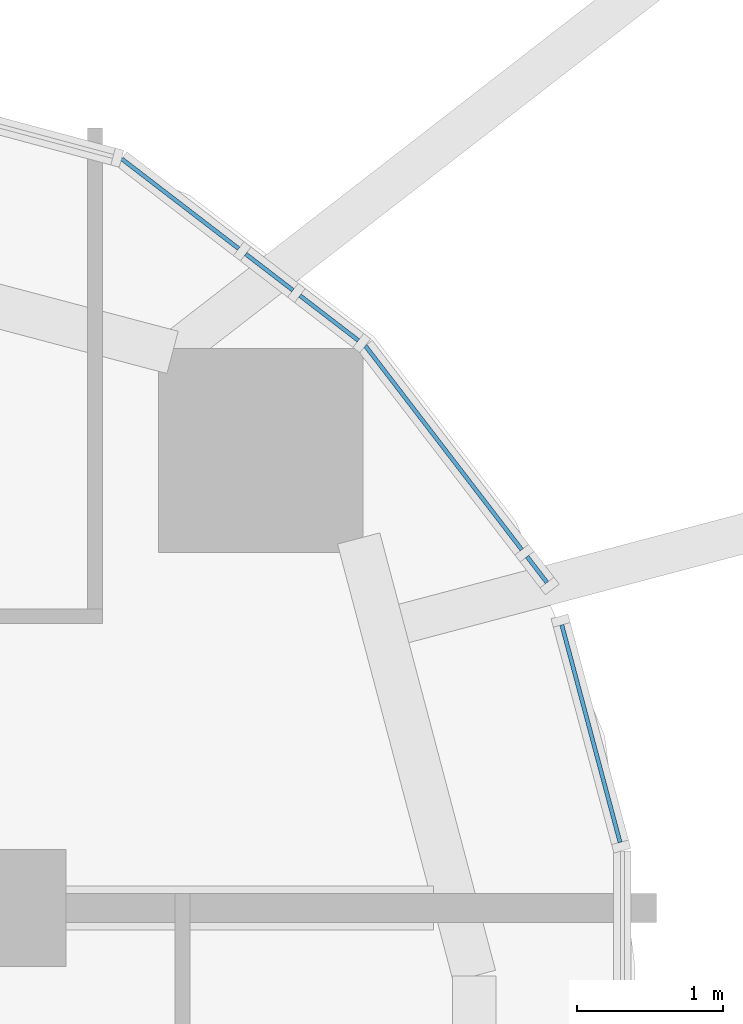
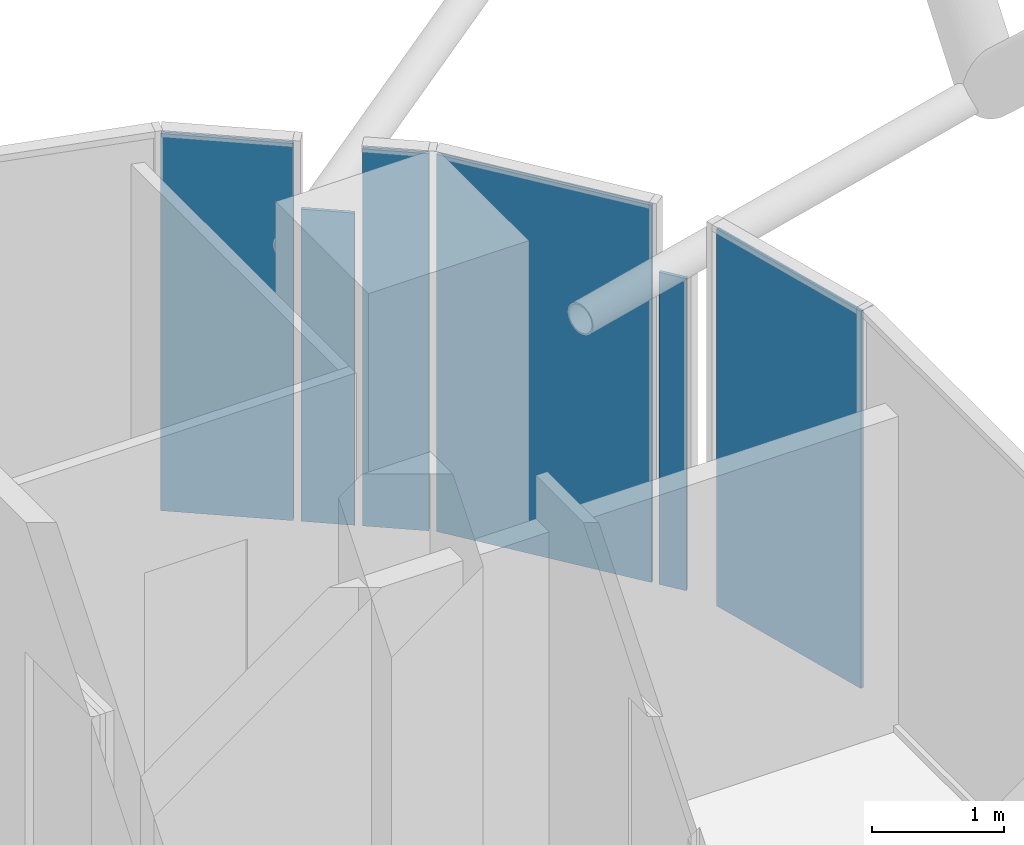
# One storey, part 24 of 33: 6 plates, 6 elements without a shape of their own.
"""IFC4 building model written with IfcOpenShell, lengths in metres."""

from ifc_helpers import new_model, si_unit, direction, frame, origin, origin_2d, place, context, subcontext, project, spatial, rectangle, extrude, material, layer, layer_set, type_object, element, aggregate, save


model = new_model("IFC4")

# Units and contexts
model_context = context("Model", 3, precision=1e-05, world=origin(), true_north=direction((0.0, 1.0)))
body_context = subcontext(model_context, "Body", "Model", "MODEL_VIEW")
ifc_project = project(units=[si_unit("LENGTHUNIT", "METRE"), si_unit("AREAUNIT", "SQUARE_METRE"), si_unit("VOLUMEUNIT", "CUBIC_METRE"), si_unit("PLANEANGLEUNIT", "RADIAN"), si_unit("MASSUNIT", "GRAM", prefix="KILO")], contexts=[model_context])

# Site, building, storey
site_placement = place(None, origin())
site = spatial("IfcSite", under=ifc_project, at=site_placement, CompositionType="ELEMENT")
building_placement = place(site_placement, origin())
building = spatial("IfcBuilding", under=site, at=building_placement, Name="Marenta Gate Hotel Tower", CompositionType="ELEMENT")
storey_placement = place(building_placement, frame((0.0, 0.0, 248.89990234375)))
storey = spatial("IfcBuildingStorey", under=building, at=storey_placement, Name="L59", CompositionType="ELEMENT", Elevation=248.89990234375)

# Curtain wall, plate
ifc_material_1 = material(Name="Tinted insulated glass in bronze anodised frame", Category="glass")
ifc_layer_1 = layer(ifc_material_1, 0.1201171875)
ifc_layer_set_1 = layer_set([ifc_layer_1], Name="Tinted insulated glass in bronze anodised frame")
curtain_wall_type = type_object("IfcCurtainWallType", Name="Tower unitised curtain wall CW1", PredefinedType="NOTDEFINED", material=ifc_layer_set_1)
curtain_wall_1_placement = place(storey_placement, origin())
curtain_wall_1 = element("IfcCurtainWall", 1, at=curtain_wall_1_placement, inside=storey, type_object=curtain_wall_type, Name="CW1 run G35", PredefinedType="NOTDEFINED")
ifc_material_2 = material(Name="Tinted insulated glass", Category="glass")
ifc_layer_2 = layer(ifc_material_2, 0.028076171875)
ifc_layer_set_2 = layer_set([ifc_layer_2], Name="Tinted insulated glass")
plate_type = type_object("IfcPlateType", Name="Glass panel CW1 28 mm tinted insulated unit", PredefinedType="CURTAIN_PANEL", material=ifc_layer_set_2)
plate_1_placement = place(storey_placement, frame((24.998779296875, 17.9951171875, 0.06005859375), z_axis=(0.0, 0.0, 1.0), x_axis=(-0.25883027083, 0.965922818295, 0.0)))
plate_1 = element("IfcPlate", 2, at=plate_1_placement, type_object=plate_type, Name="CW1 panel 1.1", PredefinedType="CURTAIN_PANEL", context=body_context, shape_type="SweptSolid", body=[
    extrude(rectangle(XDim=1.54296875, YDim=0.028076171875, at=origin_2d()), origin(), (0.0, 0.0, 1.0), 3.47998046875),
])
aggregate(curtain_wall_1, [plate_1])

curtain_wall_2_placement = place(storey_placement, origin())
curtain_wall_2 = element("IfcCurtainWall", 3, at=curtain_wall_2_placement, inside=storey, type_object=curtain_wall_type, Name="CW1 run G36", PredefinedType="NOTDEFINED")
plate_2_placement = place(storey_placement, frame((24.62939453125, 19.118896484375, 0.06005859375), z_axis=(0.0, 0.0, 1.0), x_axis=(-0.608808478087, 0.793317236047, 0.0)))
plate_2 = element("IfcPlate", 4, at=plate_2_placement, type_object=plate_type, Name="CW1 panel 1.1", PredefinedType="CURTAIN_PANEL", context=body_context, shape_type="SweptSolid", body=[
    extrude(rectangle(XDim=0.22412109375, YDim=0.028076171875, at=origin_2d()), origin(), (0.0, 0.0, 1.0), 2.880615234375),
])
aggregate(curtain_wall_2, [plate_2])

curtain_wall_3_placement = place(storey_placement, origin())
curtain_wall_3 = element("IfcCurtainWall", 5, at=curtain_wall_3_placement, inside=storey, type_object=curtain_wall_type, Name="CW1 run G37", PredefinedType="NOTDEFINED")
plate_3_placement = place(storey_placement, frame((23.98876953125, 19.9541015625, 0.06005859375), z_axis=(0.0, 0.0, 1.0), x_axis=(-0.608784227687, 0.79333584573, 0.0)))
plate_3 = element("IfcPlate", 6, at=plate_3_placement, type_object=plate_type, Name="CW1 panel 1.1", PredefinedType="CURTAIN_PANEL", context=body_context, shape_type="SweptSolid", body=[
    extrude(rectangle(XDim=1.76123046875, YDim=0.028076171875, at=origin_2d()), origin(), (0.0, 0.0, 1.0), 3.47998046875),
])
aggregate(curtain_wall_3, [plate_3])

curtain_wall_4_placement = place(storey_placement, origin())
curtain_wall_4 = element("IfcCurtainWall", 7, at=curtain_wall_4_placement, inside=storey, type_object=curtain_wall_type, Name="CW1 run G38", PredefinedType="NOTDEFINED")
plate_4_placement = place(storey_placement, frame((23.20458984375, 20.843017578125, 0.06005859375), z_axis=(0.0, 0.0, 1.0), x_axis=(-0.793347091368, 0.608769572677, 0.0)))
plate_4 = element("IfcPlate", 8, at=plate_4_placement, type_object=plate_type, Name="CW1 panel 1.1", PredefinedType="CURTAIN_PANEL", context=body_context, shape_type="SweptSolid", body=[
    extrude(rectangle(XDim=0.505126953125, YDim=0.028076171875, at=origin_2d()), origin(), (0.0, 0.0, 1.0), 3.47998046875),
])
aggregate(curtain_wall_4, [plate_4])

curtain_wall_5_placement = place(storey_placement, origin())
curtain_wall_5 = element("IfcCurtainWall", 9, at=curtain_wall_5_placement, inside=storey, type_object=curtain_wall_type, Name="CW1 run G39", PredefinedType="NOTDEFINED")
plate_5_placement = place(storey_placement, frame((22.794677734375, 21.157470703125, 0.06005859375), z_axis=(0.0, 0.0, 1.0), x_axis=(-0.793290143052, 0.608843780404, 0.0)))
plate_5 = element("IfcPlate", 10, at=plate_5_placement, type_object=plate_type, Name="CW1 panel 1.1", PredefinedType="CURTAIN_PANEL", context=body_context, shape_type="SweptSolid", body=[
    extrude(rectangle(XDim=0.408447265625, YDim=0.028076171875, at=origin_2d()), origin(), (0.0, 0.0, 1.0), 2.880615234375),
])
aggregate(curtain_wall_5, [plate_5])

curtain_wall_6_placement = place(storey_placement, origin())
curtain_wall_6 = element("IfcCurtainWall", 11, at=curtain_wall_6_placement, inside=storey, type_object=curtain_wall_type, Name="CW1 run G40", PredefinedType="NOTDEFINED")
plate_6_placement = place(storey_placement, frame((22.183837890625, 21.626220703125, 0.06005859375), z_axis=(0.0, 0.0, 1.0), x_axis=(-0.793344960162, 0.60877235005, 0.0)))
plate_6 = element("IfcPlate", 12, at=plate_6_placement, type_object=plate_type, Name="CW1 panel 1.1", PredefinedType="CURTAIN_PANEL", context=body_context, shape_type="SweptSolid", body=[
    extrude(rectangle(XDim=1.01171875, YDim=0.028076171875, at=origin_2d()), origin(), (0.0, 0.0, 1.0), 3.47998046875),
])
aggregate(curtain_wall_6, [plate_6])

save(model, "model.ifc")
